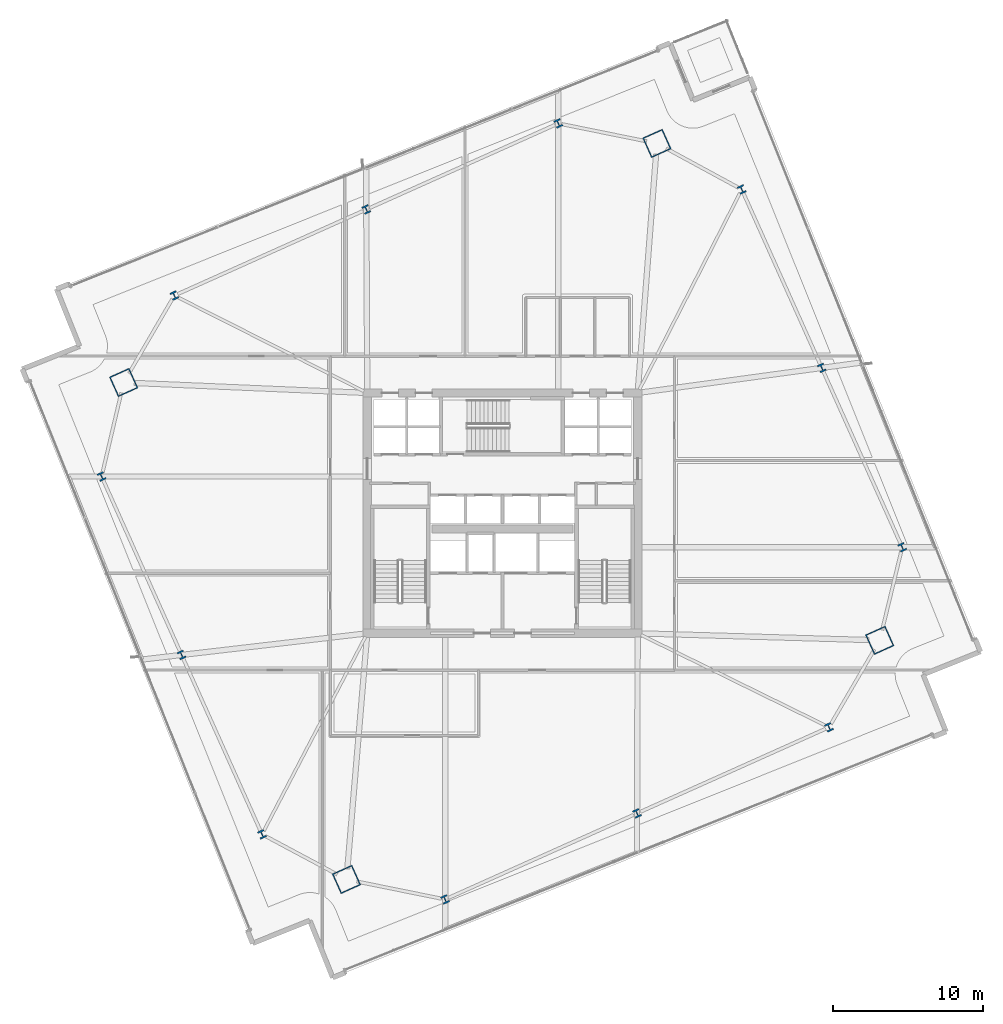
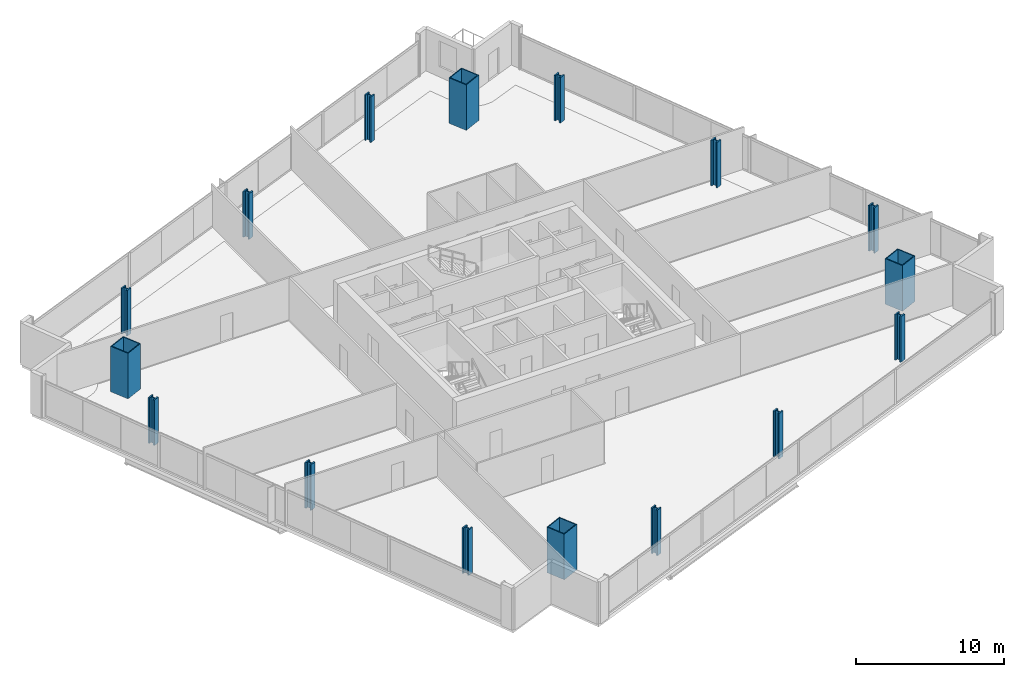
# One storey, part 1 of 33: 16 columns.
"""IFC4 building model written with IfcOpenShell, lengths in metres."""

from ifc_helpers import new_model, si_unit, direction, frame, origin, origin_2d, place, context, subcontext, project, spatial, hollow_rectangle, i_section, extrude, material, material_profile, profile_set, type_object, element, save


model = new_model("IFC4")

# Units and contexts
model_context = context("Model", 3, precision=1e-05, world=origin(), true_north=direction((0.0, 1.0)))
body_context = subcontext(model_context, "Body", "Model", "MODEL_VIEW")
ifc_project = project(units=[si_unit("LENGTHUNIT", "METRE"), si_unit("AREAUNIT", "SQUARE_METRE"), si_unit("VOLUMEUNIT", "CUBIC_METRE"), si_unit("PLANEANGLEUNIT", "RADIAN"), si_unit("MASSUNIT", "GRAM", prefix="KILO")], contexts=[model_context])

# Site, building, storey
site_placement = place(None, origin())
site = spatial("IfcSite", under=ifc_project, at=site_placement, CompositionType="ELEMENT")
building_placement = place(site_placement, origin())
building = spatial("IfcBuilding", under=site, at=building_placement, Name="Haldenkirk Collegiate Tower", CompositionType="ELEMENT")
storey_placement = place(building_placement, frame((0.0, 0.0, 101.699951171875)))
storey = spatial("IfcBuildingStorey", under=building, at=storey_placement, Name="L24", CompositionType="ELEMENT", Elevation=101.699951171875)

# Columns
ifc_material_1 = material(Name="Steel ASTM A913 Grade 65", Category="steel")
ifc_material_profile_1 = material_profile(ifc_material_1, i_section(OverallWidth=0.44189453125, OverallDepth=0.531005859375, WebThickness=0.06591796875, FlangeThickness=0.105712890625, at=origin_2d()), Name="W14X605")
ifc_profile_set_1 = profile_set([ifc_material_profile_1], Name="Steel ASTM A913 Grade 65")
column_type_1 = type_object("IfcColumnType", Name="COL-INT-W14X605", PredefinedType="COLUMN", material=ifc_profile_set_1)
for number, where, z_axis, x_axis, name in (
    (1, (32.181396484375, 0.287353515625, 0.0), (0.0, 0.0, 1.0), (0.912477494148, 0.409126902895, 0.0), "L24 perimeter gravity column PC-S1"),
    (2, (44.9599609375, 6.0166015625, 0.0), (0.0, 0.0, 1.0), (0.912477494148, 0.409126902895, 0.0), "L24 perimeter gravity column PC-S2"),
    (3, (57.73828125, 11.74609375, 0.0), (0.0, 0.0, 1.0), (0.912477494148, 0.409126902895, 0.0), "L24 perimeter gravity column PC-S3"),
    (4, (62.608642578125, 23.727294921875, 0.0), (0.0, 0.0, 1.0), (0.912477494148, 0.409126902895, 0.0), "L24 perimeter gravity column PC-E1"),
    (5, (57.255126953125, 35.667236328125, 0.0), (0.0, 0.0, 1.0), (0.912477494148, 0.409126902895, 0.0), "L24 perimeter gravity column PC-E2"),
    (6, (51.930419921875, 47.543212890625, 0.0), (0.0, 0.0, 1.0), (0.912477494148, 0.409126902895, 0.0), "L24 perimeter gravity column PC-E3"),
    (7, (39.71630859375, 51.94091796875, 0.0), (0.0, 0.0, 1.0), (0.912477494148, 0.409126902895, 0.0), "L24 perimeter gravity column PC-N1"),
    (8, (26.937744140625, 46.21142578125, 0.0), (0.0, 0.0, 1.0), (0.912477494148, 0.409126902895, 0.0), "L24 perimeter gravity column PC-N2"),
    (9, (14.159423828125, 40.48193359375, 0.0), (0.0, 0.0, 1.0), (0.912477494148, 0.409126902895, 0.0), "L24 perimeter gravity column PC-N3"),
    (10, (9.317626953125, 28.436767578125, 0.0), (0.0, 0.0, 1.0), (0.912477494148, 0.409126902895, 0.0), "L24 perimeter gravity column PC-W1"),
    (11, (14.642578125, 16.560791015625, 0.0), (0.0, 0.0, 1.0), (0.912477494148, 0.409126902895, 0.0), "L24 perimeter gravity column PC-W2"),
    (12, (19.995849609375, 4.62109375, 0.0), (0.0, 0.0, 1.0), (0.912477494148, 0.409126902895, 0.0), "L24 perimeter gravity column PC-W3"),
):
    element("IfcColumn", number, at=place(storey_placement, frame(where, z_axis=z_axis, x_axis=x_axis)), inside=storey, type_object=column_type_1, Name=name, PredefinedType="COLUMN", context=body_context, shape_type="SweptSolid", body=[
        extrude(i_section(OverallWidth=0.44189453125, OverallDepth=0.531005859375, WebThickness=0.06591796875, FlangeThickness=0.105712890625, at=origin_2d()), origin(), (0.0, 0.0, 1.0), 3.75),
    ])
ifc_material_2 = material(Name="Steel ASTM A572 Grade 50", Category="steel")
ifc_material_profile_2 = material_profile(ifc_material_2, hollow_rectangle(XDim=1.449951171875, YDim=1.449951171875, WallThickness=0.070068359375, at=origin_2d()), Name="BOX1450X1450X70")
ifc_profile_set_2 = profile_set([ifc_material_profile_2], Name="Steel ASTM A572 Grade 50")
column_type_2 = type_object("IfcColumnType", Name="COL-MEGA-BOX1450X1450X70", PredefinedType="COLUMN", material=ifc_profile_set_2)
for number, where, z_axis, x_axis, name in (
    (13, (25.61669921875, 1.617919921875, 0.0), (0.0, 0.0, 1.0), (0.912477494148, 0.409126902895, 0.0), "L24 corner mega-column MC1"),
    (14, (61.112060546875, 17.532958984375, 0.0), (0.0, 0.0, 1.0), (0.912477494148, 0.409126902895, 0.0), "L24 corner mega-column MC2"),
    (15, (46.281005859375, 50.610107421875, 0.0), (0.0, 0.0, 1.0), (0.912477494148, 0.409126902895, 0.0), "L24 corner mega-column MC3"),
    (16, (10.78564453125, 34.6953125, 0.0), (0.0, 0.0, 1.0), (0.912477494148, 0.409126902895, 0.0), "L24 corner mega-column MC4"),
):
    element("IfcColumn", number, at=place(storey_placement, frame(where, z_axis=z_axis, x_axis=x_axis)), inside=storey, type_object=column_type_2, Name=name, PredefinedType="COLUMN", context=body_context, shape_type="SweptSolid", body=[
        extrude(hollow_rectangle(XDim=1.449951171875, YDim=1.449951171875, WallThickness=0.070068359375, at=origin_2d()), origin(), (0.0, 0.0, 1.0), 3.75),
    ])

save(model, "model.ifc")
